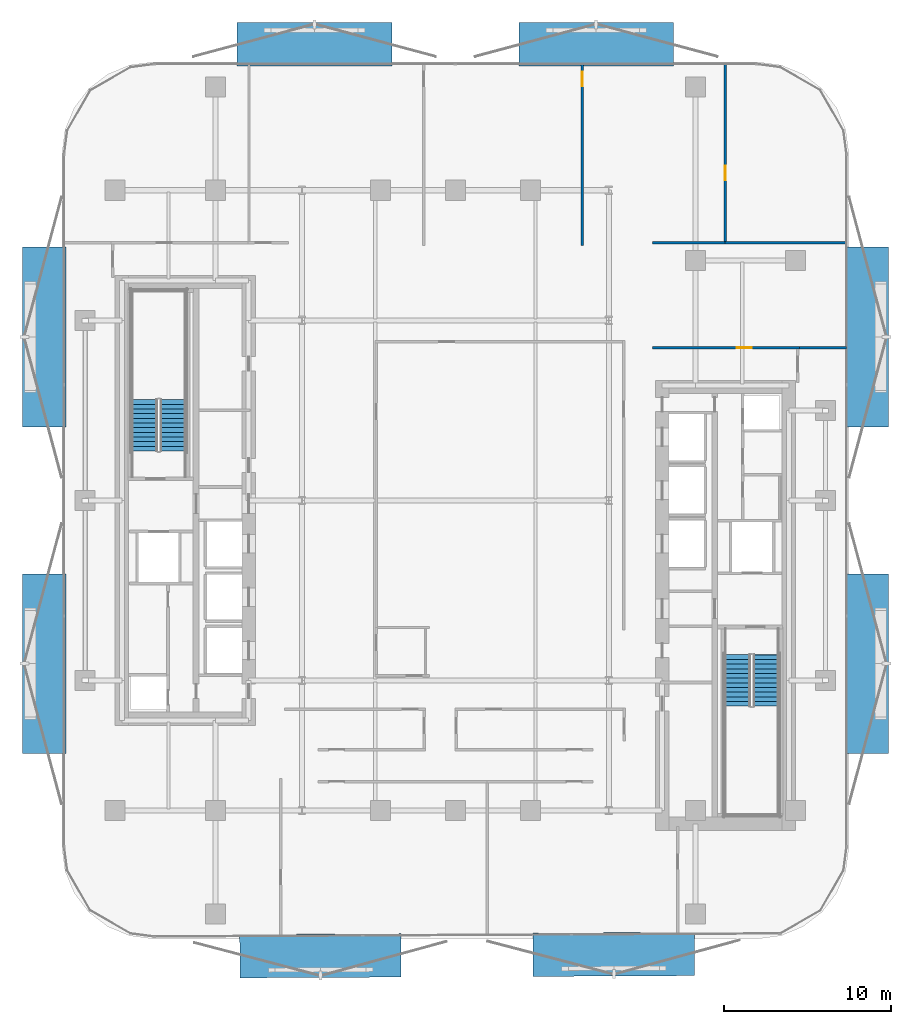
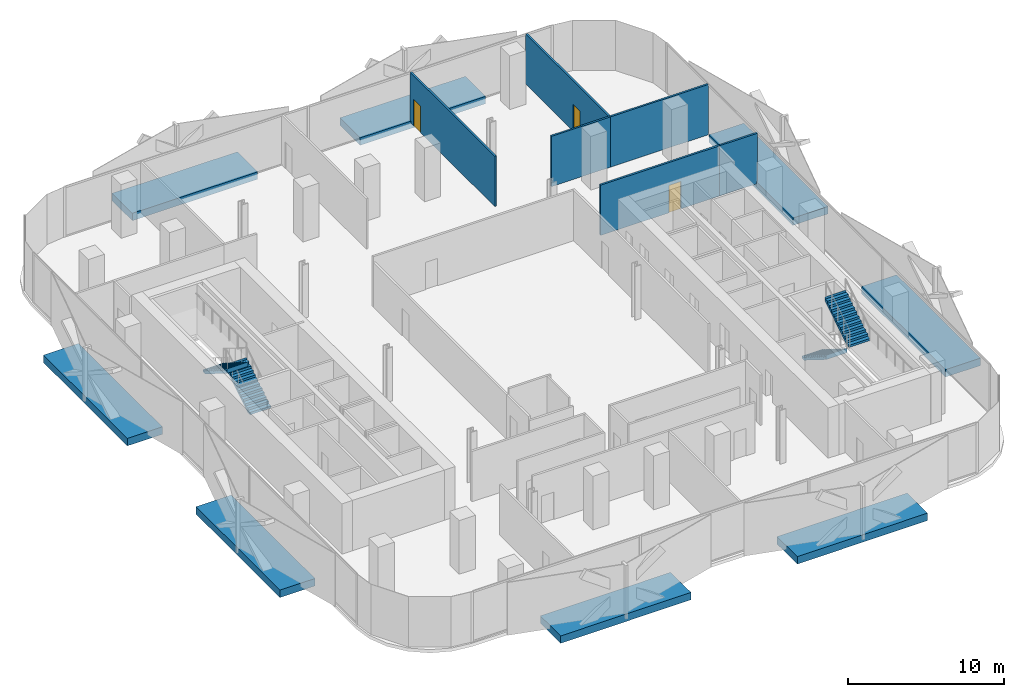
# One storey, part 6 of 15: 8 discrete accessories, 6 walls, 4 stair flights, 3 doors, 3 openings, 2 elements without a shape of their own.
"""IFC4 building model written with IfcOpenShell, lengths in metres."""

from ifc_helpers import new_model, si_unit, direction, frame, frame_2d, origin, origin_2d, place, context, subcontext, project, spatial, polyline, rectangle, outline, extrude, material, layer, layer_set, type_object, element, fill, aggregate, save


model = new_model("IFC4")

# Units and contexts
model_context = context("Model", 3, precision=1e-05, world=origin(), true_north=direction((0.0, 1.0)))
body_context = subcontext(model_context, "Body", "Model", "MODEL_VIEW")
ifc_project = project(units=[si_unit("LENGTHUNIT", "METRE"), si_unit("AREAUNIT", "SQUARE_METRE"), si_unit("VOLUMEUNIT", "CUBIC_METRE"), si_unit("PLANEANGLEUNIT", "RADIAN"), si_unit("MASSUNIT", "GRAM", prefix="KILO")], contexts=[model_context])

# Site, building, storey
site_placement = place(None, origin())
site = spatial("IfcSite", under=ifc_project, at=site_placement, CompositionType="ELEMENT")
building_placement = place(site_placement, origin())
building = spatial("IfcBuilding", under=site, at=building_placement, Name="Khairoan Windgate Tower", CompositionType="ELEMENT")
storey_placement = place(building_placement, frame((0.0, 0.0, 122.60009765625)))
storey = spatial("IfcBuildingStorey", under=building, at=storey_placement, Name="L28", CompositionType="ELEMENT", Elevation=122.60009765625)

# Walls
ifc_material_1 = material(Name="Acoustic Fire-Rated Gypsum Partition", Category="gypsum")
ifc_layer_1 = layer(ifc_material_1, 0.139892578125, Name="Acoustic Fire-Rated Gypsum Partition")
ifc_layer_set_1 = layer_set([ifc_layer_1], Name="Acoustic Fire-Rated Gypsum Partition")
wall_type_1 = type_object("IfcWallType", Name="Inter-Tenancy Compartment Wall", PredefinedType="PARTITIONING", material=ifc_layer_set_1)
wall_1_placement = place(storey_placement, frame((20.639892578125, 9.159912109375, 0.0), z_axis=(0.0, 0.0, 1.0), x_axis=(1.0, 0.0, 0.0)))
element("IfcWall", 1, at=wall_1_placement, inside=storey, type_object=wall_type_1, Name="L28 Interior Partition 031", PredefinedType="PARTITIONING", context=body_context, shape_type="SweptSolid", body=[
    extrude(rectangle(XDim=2.815185546875, YDim=0.139892578125, at=frame_2d((1.40771484375, 0.0))), origin(), (0.0, 0.0, 1.0), 3.93994140625),
])
wall_2_placement = place(storey_placement, frame((11.81005859375, 15.4599609375, 0.0), z_axis=(0.0, 0.0, 1.0), x_axis=(1.0, 0.0, 0.0)))
element("IfcWall", 2, at=wall_2_placement, inside=storey, type_object=wall_type_1, Name="L28 Interior Partition 032", PredefinedType="PARTITIONING", context=body_context, shape_type="SweptSolid", body=[
    extrude(rectangle(XDim=4.3740234375, YDim=0.139892578125, at=frame_2d((2.18701171875, 0.0))), origin(), (0.0, 0.0, 1.0), 3.93994140625),
])
wall_3_placement = place(storey_placement, frame((16.18408203125, 15.4599609375, 0.0), z_axis=(0.0, 0.0, 1.0), x_axis=(1.0, 0.0, 0.0)))
element("IfcWall", 3, at=wall_3_placement, inside=storey, type_object=wall_type_1, Name="L28 Interior Partition 033", PredefinedType="PARTITIONING", context=body_context, shape_type="SweptSolid", body=[
    extrude(rectangle(XDim=7.27099609375, YDim=0.139892578125, at=frame_2d((3.635498046875, 0.0))), origin(), (0.0, 0.0, 1.0), 3.93994140625),
])

# Wall, opening, door
wall_4_placement = place(storey_placement, frame((7.615966796875, 15.280029296875, 0.0), z_axis=(0.0, 0.0, 1.0), x_axis=(0.0, 1.0, 0.0)))
wall_4 = element("IfcWall", 4, at=wall_4_placement, inside=storey, type_object=wall_type_1, Name="L28 Interior Partition 036", PredefinedType="PARTITIONING", context=body_context, shape_type="SweptSolid", body=[
    extrude(rectangle(XDim=10.875, YDim=0.139892578125, at=frame_2d((5.4375, 0.0))), origin(), (0.0, 0.0, 1.0), 3.93994140625),
])
opening_1_placement = place(wall_4_placement, frame((9.56494140625, 0.0, 0.0)))
opening_1 = element("IfcOpeningElement", 5, at=opening_1_placement, cuts=wall_4, Name="Opening FD-SRV", PredefinedType="OPENING", context=body_context, shape_type="SweptSolid", body=[
    extrude(rectangle(XDim=0.85009765625, YDim=2.10009765625, at=frame_2d((0.425048828125, 1.050048828125))), frame((0.0, 0.079833984375, 0.0), z_axis=(0.0, -1.0, 0.0), x_axis=(1.0, 0.0, 0.0)), (0.0, 0.0, 1.0), 0.159912109375),
])
ifc_material_2 = material(Name="Steel S355", Category="steel")
door_type_1 = type_object("IfcDoorType", Name="Core Service and Riser Fire Door FD-SRV 850x2100", OperationType="NOTDEFINED", PredefinedType="DOOR", material=ifc_material_2)
door_1_placement = place(opening_1_placement, origin())
door_1 = element("IfcDoor", 6, at=door_1_placement, inside=storey, type_object=door_type_1, Name="L28 L28-42-L28-43 Door", OperationType="SINGLE_SWING_RIGHT", OverallHeight=2.10009765625, OverallWidth=0.85009765625, PredefinedType="DOOR", context=body_context, shape_type="SweptSolid", body=[
    extrude(rectangle(XDim=0.85009765625, YDim=2.10009765625, at=frame_2d((0.425048828125, 1.050048828125))), frame((0.0, 0.02490234375, 0.0), z_axis=(0.0, -1.0, 0.0), x_axis=(1.0, 0.0, 0.0)), (0.0, 0.0, 1.0), 0.050048828125),
])
fill(opening_1, door_1)

wall_5_placement = place(storey_placement, frame((16.18408203125, 15.530029296875, 0.0), z_axis=(0.0, 0.0, 1.0), x_axis=(0.0, 1.0, 0.0)))
wall_5 = element("IfcWall", 7, at=wall_5_placement, inside=storey, type_object=wall_type_1, Name="L28 Interior Partition 037", PredefinedType="PARTITIONING", context=body_context, shape_type="SweptSolid", body=[
    extrude(rectangle(XDim=10.625, YDim=0.139892578125, at=frame_2d((5.3125, 0.0))), origin(), (0.0, 0.0, 1.0), 3.93994140625),
])
opening_2_placement = place(wall_5_placement, frame((3.679931640625, 0.0, 0.0)))
opening_2 = element("IfcOpeningElement", 8, at=opening_2_placement, cuts=wall_5, Name="Opening FD-SRV", PredefinedType="OPENING", context=body_context, shape_type="SweptSolid", body=[
    extrude(rectangle(XDim=0.85009765625, YDim=2.10009765625, at=frame_2d((0.425048828125, 1.050048828125))), frame((0.0, 0.079833984375, 0.0), z_axis=(0.0, -1.0, 0.0), x_axis=(1.0, 0.0, 0.0)), (0.0, 0.0, 1.0), 0.159912109375),
])
door_2_placement = place(opening_2_placement, origin())
door_2 = element("IfcDoor", 9, at=door_2_placement, inside=storey, type_object=door_type_1, Name="L28 L28-43-L28-44 Door", OperationType="SINGLE_SWING_LEFT", OverallHeight=2.10009765625, OverallWidth=0.85009765625, PredefinedType="DOOR", context=body_context, shape_type="SweptSolid", body=[
    extrude(rectangle(XDim=0.85009765625, YDim=2.10009765625, at=frame_2d((0.425048828125, 1.050048828125))), frame((0.0, 0.02490234375, 0.0), z_axis=(0.0, -1.0, 0.0), x_axis=(1.0, 0.0, 0.0)), (0.0, 0.0, 1.0), 0.050048828125),
])
fill(opening_2, door_2)

ifc_material_3 = material(Name="Acoustic Fire-Rated Gypsum Partition", Category="gypsum")
ifc_layer_2 = layer(ifc_material_3, 0.14990234375, Name="Acoustic Fire-Rated Gypsum Partition")
ifc_layer_set_2 = layer_set([ifc_layer_2], Name="Acoustic Fire-Rated Gypsum Partition")
wall_type_2 = type_object("IfcWallType", Name="Rated Corridor Partition Wall", PredefinedType="PARTITIONING", material=ifc_layer_set_2)
wall_6_placement = place(storey_placement, frame((11.81005859375, 9.159912109375, 0.0), z_axis=(0.0, 0.0, 1.0), x_axis=(1.0, 0.0, 0.0)))
wall_6 = element("IfcWall", 10, at=wall_6_placement, inside=storey, type_object=wall_type_2, Name="L28 Interior Partition 023", PredefinedType="PARTITIONING", context=body_context, shape_type="SweptSolid", body=[
    extrude(rectangle(XDim=8.829833984375, YDim=0.14990234375, at=frame_2d((4.4150390625, 0.0))), origin(), (0.0, 0.0, 1.0), 3.93994140625),
])
opening_3_placement = place(wall_6_placement, frame((5.066650390625, 0.0, 0.0)))
opening_3 = element("IfcOpeningElement", 11, at=opening_3_placement, cuts=wall_6, Name="Opening FD-ENT", PredefinedType="OPENING", context=body_context, shape_type="SweptSolid", body=[
    extrude(rectangle(XDim=0.89990234375, YDim=2.14990234375, at=frame_2d((0.449951171875, 1.074951171875))), frame((0.0, 0.0849609375, 0.0), z_axis=(0.0, -1.0, 0.0), x_axis=(1.0, 0.0, 0.0)), (0.0, 0.0, 1.0), 0.169921875),
])
ifc_material_4 = material(Name="Timber Fire-Rated Core", Category="wood")
door_type_2 = type_object("IfcDoorType", Name="Unit and Office Fire Entrance Door FD-ENT 900x2150", OperationType="NOTDEFINED", PredefinedType="DOOR", material=ifc_material_4)
door_3_placement = place(opening_3_placement, origin())
door_3 = element("IfcDoor", 12, at=door_3_placement, inside=storey, type_object=door_type_2, Name="L28 L28-34-L28-39 Door", OperationType="SINGLE_SWING_RIGHT", OverallHeight=2.14990234375, OverallWidth=0.89990234375, PredefinedType="DOOR", context=body_context, shape_type="SweptSolid", body=[
    extrude(rectangle(XDim=0.89990234375, YDim=2.14990234375, at=frame_2d((0.449951171875, 1.074951171875))), frame((0.0, 0.02490234375, 0.0), z_axis=(0.0, -1.0, 0.0), x_axis=(1.0, 0.0, 0.0)), (0.0, 0.0, 1.0), 0.050048828125),
])
fill(opening_3, door_3)

# Stair, stair flights
ifc_material_5 = material(Name="Concrete C40/50", Category="concrete")
stair_type = type_object("IfcStairType", Name="Tower Core Dog-Leg Stair ST-T1 1560mm", PredefinedType="HALF_TURN_STAIR", material=ifc_material_5)
stair_1_placement = place(storey_placement, origin())
stair_1 = element("IfcStair", 13, at=stair_1_placement, inside=storey, type_object=stair_type, Name="L28 Stair ST1", PredefinedType="HALF_TURN_STAIR")
ifc_material_6 = material(Name="Concrete C40/50", Category="concrete")
ifc_layer_3 = layer(ifc_material_6, 0.14990234375, Name="Concrete C40/50")
ifc_layer_set_3 = layer_set([ifc_layer_3], Name="Concrete C40/50")
stair_flight_type = type_object("IfcStairFlightType", Name="Tower Core Stair Flight STF-1560", PredefinedType="STRAIGHT", material=ifc_layer_set_3)
stair_flight_1_placement = place(storey_placement, frame((16.929931640625, -9.260009765625, 0.0), z_axis=(0.0, 0.0, 1.0), x_axis=(0.0, -1.0, 0.0)))
stair_flight_1 = element("IfcStairFlight", 14, at=stair_flight_1_placement, type_object=stair_flight_type, Name="ST1 flight 1", NumberOfRisers=12, NumberOfTreads=11, PredefinedType="STRAIGHT", RiserHeight=0.175, TreadLength=0.28, context=body_context, shape_type="SweptSolid", body=[
    extrude(outline(polyline([(-0.00390625, 0.0), (-0.00390625, 0.175048828125), (0.0, 0.175048828125), (0.280029296875, 0.175048828125), (0.280029296875, 0.35009765625), (0.56005859375, 0.35009765625), (0.56005859375, 0.52490234375), (0.840087890625, 0.52490234375), (0.840087890625, 0.699951171875), (1.1201171875, 0.699951171875), (1.1201171875, 0.875), (1.39990234375, 0.875), (1.39990234375, 1.050048828125), (1.679931640625, 1.050048828125), (1.679931640625, 1.22509765625), (1.9599609375, 1.22509765625), (1.9599609375, 1.39990234375), (2.239990234375, 1.39990234375), (2.239990234375, 1.574951171875), (2.52001953125, 1.574951171875), (2.52001953125, 1.75), (2.800048828125, 1.75), (2.800048828125, 1.925048828125), (3.080078125, 1.925048828125), (3.080078125, 2.10009765625), (3.083984375, 2.10009765625), (3.083984375, 1.748291015625), (0.28271484375, 0.0), (-0.00390625, 0.0)])), frame((0.0, 0.780029296875, 0.0), z_axis=(0.0, -1.0, 0.0), x_axis=(1.0, 0.0, 0.0)), (0.0, 0.0, 1.0), 1.56005859375),
])
stair_flight_2_placement = place(storey_placement, frame((18.639892578125, -12.340087890625, 2.099853515625), z_axis=(0.0, 0.0, 1.0), x_axis=(0.0, 1.0, 0.0)))
stair_flight_2 = element("IfcStairFlight", 15, at=stair_flight_2_placement, type_object=stair_flight_type, Name="ST1 flight 2", NumberOfRisers=12, NumberOfTreads=11, PredefinedType="STRAIGHT", RiserHeight=0.175, TreadLength=0.28, context=body_context, shape_type="SweptSolid", body=[
    extrude(outline(polyline([(-0.00390625, 0.0), (-0.00390625, 0.175048828125), (0.0, 0.175048828125), (0.280029296875, 0.175048828125), (0.280029296875, 0.35009765625), (0.56005859375, 0.35009765625), (0.56005859375, 0.52490234375), (0.840087890625, 0.52490234375), (0.840087890625, 0.699951171875), (1.1201171875, 0.699951171875), (1.1201171875, 0.875), (1.39990234375, 0.875), (1.39990234375, 1.050048828125), (1.679931640625, 1.050048828125), (1.679931640625, 1.22509765625), (1.9599609375, 1.22509765625), (1.9599609375, 1.39990234375), (2.239990234375, 1.39990234375), (2.239990234375, 1.574951171875), (2.52001953125, 1.574951171875), (2.52001953125, 1.75), (2.800048828125, 1.75), (2.800048828125, 1.925048828125), (3.080078125, 1.925048828125), (3.080078125, 2.10009765625), (3.083984375, 2.10009765625), (3.083984375, 1.748291015625), (0.28271484375, 0.0), (-0.00390625, 0.0)])), frame((0.0, 0.780029296875, 0.0), z_axis=(0.0, -1.0, 0.0), x_axis=(1.0, 0.0, 0.0)), (0.0, 0.0, 1.0), 1.56005859375),
])
aggregate(stair_1, [stair_flight_1, stair_flight_2])

stair_2_placement = place(storey_placement, origin())
stair_2 = element("IfcStair", 16, at=stair_2_placement, inside=storey, type_object=stair_type, Name="L28 Stair ST2", PredefinedType="HALF_TURN_STAIR")
stair_flight_3_placement = place(storey_placement, frame((-16.929931640625, 2.9599609375, 0.0), z_axis=(0.0, 0.0, 1.0), x_axis=(0.0, 1.0, 0.0)))
stair_flight_3 = element("IfcStairFlight", 17, at=stair_flight_3_placement, type_object=stair_flight_type, Name="ST2 flight 1", NumberOfRisers=12, NumberOfTreads=11, PredefinedType="STRAIGHT", RiserHeight=0.175, TreadLength=0.28, context=body_context, shape_type="SweptSolid", body=[
    extrude(outline(polyline([(-0.00390625, 0.0), (-0.00390625, 0.175048828125), (0.0, 0.175048828125), (0.280029296875, 0.175048828125), (0.280029296875, 0.35009765625), (0.56005859375, 0.35009765625), (0.56005859375, 0.52490234375), (0.840087890625, 0.52490234375), (0.840087890625, 0.699951171875), (1.1201171875, 0.699951171875), (1.1201171875, 0.875), (1.39990234375, 0.875), (1.39990234375, 1.050048828125), (1.679931640625, 1.050048828125), (1.679931640625, 1.22509765625), (1.9599609375, 1.22509765625), (1.9599609375, 1.39990234375), (2.239990234375, 1.39990234375), (2.239990234375, 1.574951171875), (2.52001953125, 1.574951171875), (2.52001953125, 1.75), (2.800048828125, 1.75), (2.800048828125, 1.925048828125), (3.080078125, 1.925048828125), (3.080078125, 2.10009765625), (3.083984375, 2.10009765625), (3.083984375, 1.748291015625), (0.28271484375, 0.0), (-0.00390625, 0.0)])), frame((0.0, 0.780029296875, 0.0), z_axis=(0.0, -1.0, 0.0), x_axis=(1.0, 0.0, 0.0)), (0.0, 0.0, 1.0), 1.56005859375),
])
stair_flight_4_placement = place(storey_placement, frame((-18.639892578125, 6.0400390625, 2.099853515625), z_axis=(0.0, 0.0, 1.0), x_axis=(0.0, -1.0, 0.0)))
stair_flight_4 = element("IfcStairFlight", 18, at=stair_flight_4_placement, type_object=stair_flight_type, Name="ST2 flight 2", NumberOfRisers=12, NumberOfTreads=11, PredefinedType="STRAIGHT", RiserHeight=0.175, TreadLength=0.28, context=body_context, shape_type="SweptSolid", body=[
    extrude(outline(polyline([(-0.00390625, 0.0), (-0.00390625, 0.175048828125), (0.0, 0.175048828125), (0.280029296875, 0.175048828125), (0.280029296875, 0.35009765625), (0.56005859375, 0.35009765625), (0.56005859375, 0.52490234375), (0.840087890625, 0.52490234375), (0.840087890625, 0.699951171875), (1.1201171875, 0.699951171875), (1.1201171875, 0.875), (1.39990234375, 0.875), (1.39990234375, 1.050048828125), (1.679931640625, 1.050048828125), (1.679931640625, 1.22509765625), (1.9599609375, 1.22509765625), (1.9599609375, 1.39990234375), (2.239990234375, 1.39990234375), (2.239990234375, 1.574951171875), (2.52001953125, 1.574951171875), (2.52001953125, 1.75), (2.800048828125, 1.75), (2.800048828125, 1.925048828125), (3.080078125, 1.925048828125), (3.080078125, 2.10009765625), (3.083984375, 2.10009765625), (3.083984375, 1.748291015625), (0.28271484375, 0.0), (-0.00390625, 0.0)])), frame((0.0, 0.780029296875, 0.0), z_axis=(0.0, -1.0, 0.0), x_axis=(1.0, 0.0, 0.0)), (0.0, 0.0, 1.0), 1.56005859375),
])
aggregate(stair_2, [stair_flight_3, stair_flight_4])

# Discrete accessories
ifc_material_7 = material(Name="Steel S355", Category="steel")
discrete_accessory_type = type_object("IfcDiscreteAccessoryType", Name="Solar Screen Outrigger Slab Bracket SSB-1", PredefinedType="BRACKET", material=ifc_material_7)
for number, where, z_axis, x_axis, name in (
    (19, (9.498291015625, -27.22509765625, -0.420166015625), (0.0, 0.0, 1.0), (-0.999988059021, -0.004886902454, 0.0), "L28 Solar Screen Outrigger Bracket 169"),
    (20, (-8.090576171875, -27.31103515625, -0.420166015625), (0.0, 0.0, 1.0), (-0.999988059021, -0.004886902454, 0.0), "L28 Solar Screen Outrigger Bracket 170"),
):
    element("IfcDiscreteAccessory", number, at=place(storey_placement, frame(where, z_axis=z_axis, x_axis=x_axis)), inside=storey, type_object=discrete_accessory_type, Name=name, PredefinedType="BRACKET", context=body_context, shape_type="SweptSolid", body=[
        extrude(rectangle(XDim=9.674072265625, YDim=2.60009765625, at=origin_2d()), origin(), (0.0, 0.0, 1.0), 0.580078125),
    ])
for number, where, z_axis, x_axis, name in (
    (21, (-24.659912109375, -9.79541015625, -0.420166015625), (0.0, 0.0, 1.0), (0.0, 1.0, 0.0), "L28 Solar Screen Outrigger Bracket 171"),
    (22, (-24.659912109375, 9.79541015625, -0.420166015625), (0.0, 0.0, 1.0), (0.0, 1.0, 0.0), "L28 Solar Screen Outrigger Bracket 172"),
):
    element("IfcDiscreteAccessory", number, at=place(storey_placement, frame(where, z_axis=z_axis, x_axis=x_axis)), inside=storey, type_object=discrete_accessory_type, Name=name, PredefinedType="BRACKET", context=body_context, shape_type="SweptSolid", body=[
        extrude(rectangle(XDim=10.77490234375, YDim=2.60009765625, at=origin_2d()), origin(), (0.0, 0.0, 1.0), 0.580078125),
    ])
for number, where, z_axis, x_axis, name in (
    (23, (-8.4453125, 27.360107421875, -0.420166015625), (0.0, 0.0, 1.0), (1.0, 0.0, 0.0), "L28 Solar Screen Outrigger Bracket 173"),
    (24, (8.4453125, 27.360107421875, -0.420166015625), (0.0, 0.0, 1.0), (1.0, 0.0, 0.0), "L28 Solar Screen Outrigger Bracket 174"),
):
    element("IfcDiscreteAccessory", number, at=place(storey_placement, frame(where, z_axis=z_axis, x_axis=x_axis)), inside=storey, type_object=discrete_accessory_type, Name=name, PredefinedType="BRACKET", context=body_context, shape_type="SweptSolid", body=[
        extrude(rectangle(XDim=9.2900390625, YDim=2.60009765625, at=origin_2d()), origin(), (0.0, 0.0, 1.0), 0.580078125),
    ])
for number, where, z_axis, x_axis, name in (
    (25, (24.659912109375, 9.79541015625, -0.420166015625), (0.0, 0.0, 1.0), (0.0, -1.0, 0.0), "L28 Solar Screen Outrigger Bracket 175"),
    (26, (24.659912109375, -9.79541015625, -0.420166015625), (0.0, 0.0, 1.0), (0.0, -1.0, 0.0), "L28 Solar Screen Outrigger Bracket 176"),
):
    element("IfcDiscreteAccessory", number, at=place(storey_placement, frame(where, z_axis=z_axis, x_axis=x_axis)), inside=storey, type_object=discrete_accessory_type, Name=name, PredefinedType="BRACKET", context=body_context, shape_type="SweptSolid", body=[
        extrude(rectangle(XDim=10.77490234375, YDim=2.60009765625, at=origin_2d()), origin(), (0.0, 0.0, 1.0), 0.580078125),
    ])

save(model, "model.ifc")
